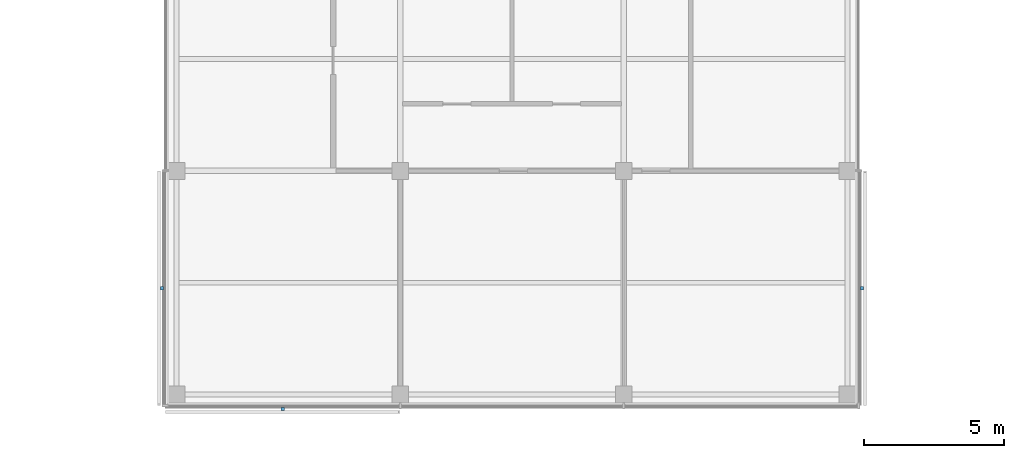
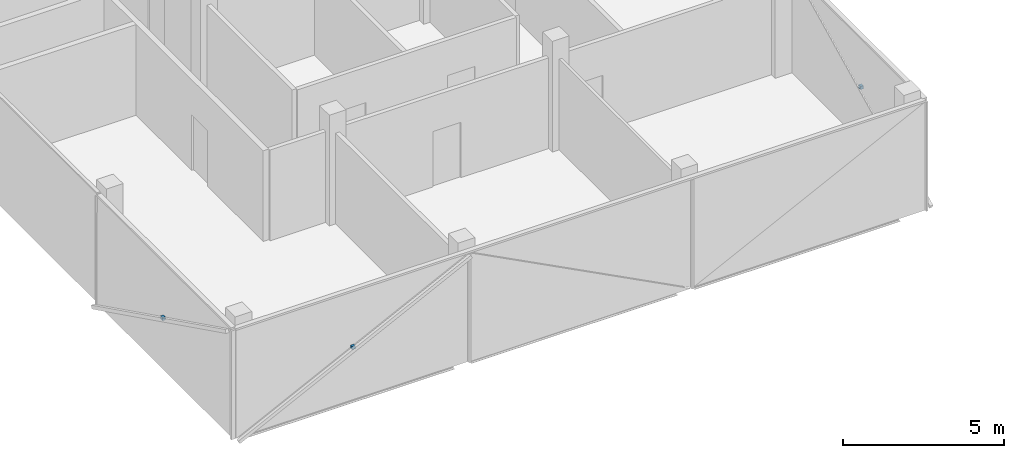
# One storey, part 14 of 16: 3 discrete accessories.
"""IFC4 building model written with IfcOpenShell, lengths in metres."""

from ifc_helpers import new_model, si_unit, direction, frame, origin, origin_2d, place, context, subcontext, project, spatial, rectangle, extrude, material, type_object, element, save


model = new_model("IFC4")

# Units and contexts
model_context = context("Model", 3, precision=1e-05, world=origin(), true_north=direction((0.0, 1.0)))
body_context = subcontext(model_context, "Body", "Model", "MODEL_VIEW")
ifc_project = project(units=[si_unit("LENGTHUNIT", "METRE"), si_unit("AREAUNIT", "SQUARE_METRE"), si_unit("VOLUMEUNIT", "CUBIC_METRE"), si_unit("PLANEANGLEUNIT", "RADIAN"), si_unit("MASSUNIT", "GRAM", prefix="KILO")], contexts=[model_context])

# Site, building, storey
site_placement = place(None, origin())
site = spatial("IfcSite", under=ifc_project, at=site_placement, CompositionType="ELEMENT")
building_placement = place(site_placement, origin())
building = spatial("IfcBuilding", under=site, at=building_placement, Name="Crosswind Convention Tower", CompositionType="ELEMENT")
storey_placement = place(building_placement, frame((0.0, 0.0, 336.5)))
storey = spatial("IfcBuildingStorey", under=building, at=storey_placement, Name="L73", CompositionType="ELEMENT", Elevation=336.5)

# Discrete accessories
ifc_material = material(Name="Stainless steel", Category="steel")
discrete_accessory_type = type_object("IfcDiscreteAccessoryType", Name="BAGUETTE BRACKET BK3", PredefinedType="BRACKET", material=ifc_material)
for number, where, z_axis, x_axis, name in (
    (1, (112.47412109375, 75.794921875, 1.704833984375), (0.0, 0.0, 1.0), (0.0, -1.0, 0.0), "BK3 baguette bracket"),
    (2, (116.794921875, 71.47412109375, 1.704833984375), (0.0, 0.0, 1.0), (1.0, 0.0, 0.0), "BK3 baguette bracket"),
    (3, (137.52587890625, 75.794921875, 1.704833984375), (0.0, 0.0, 1.0), (0.0, 1.0, 0.0), "BK3 baguette bracket"),
):
    element("IfcDiscreteAccessory", number, at=place(storey_placement, frame(where, z_axis=z_axis, x_axis=x_axis)), inside=storey, type_object=discrete_accessory_type, Name=name, PredefinedType="BRACKET", context=body_context, shape_type="SweptSolid", body=[
        extrude(rectangle(XDim=0.1201171875, YDim=0.10009765625, at=origin_2d()), origin(), (0.0, 0.0, 1.0), 0.1201171875),
    ])

save(model, "model.ifc")
